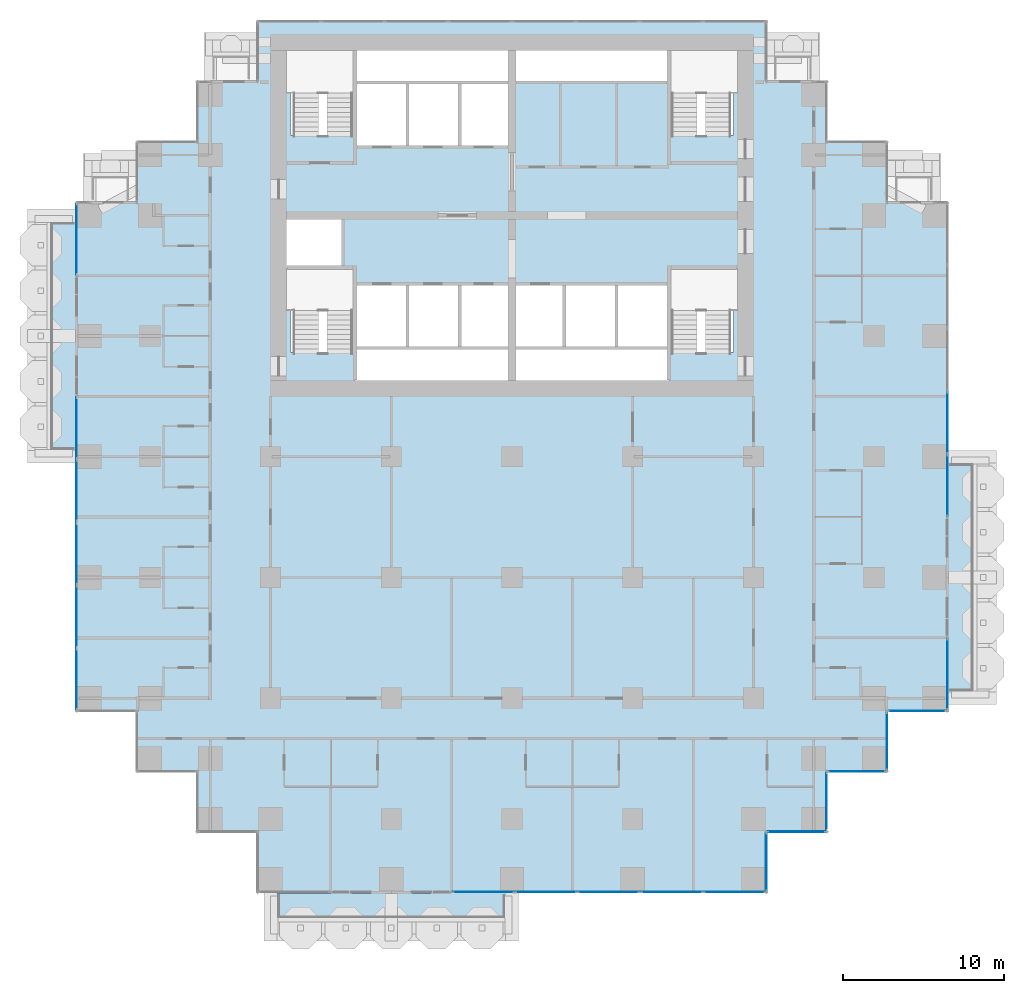
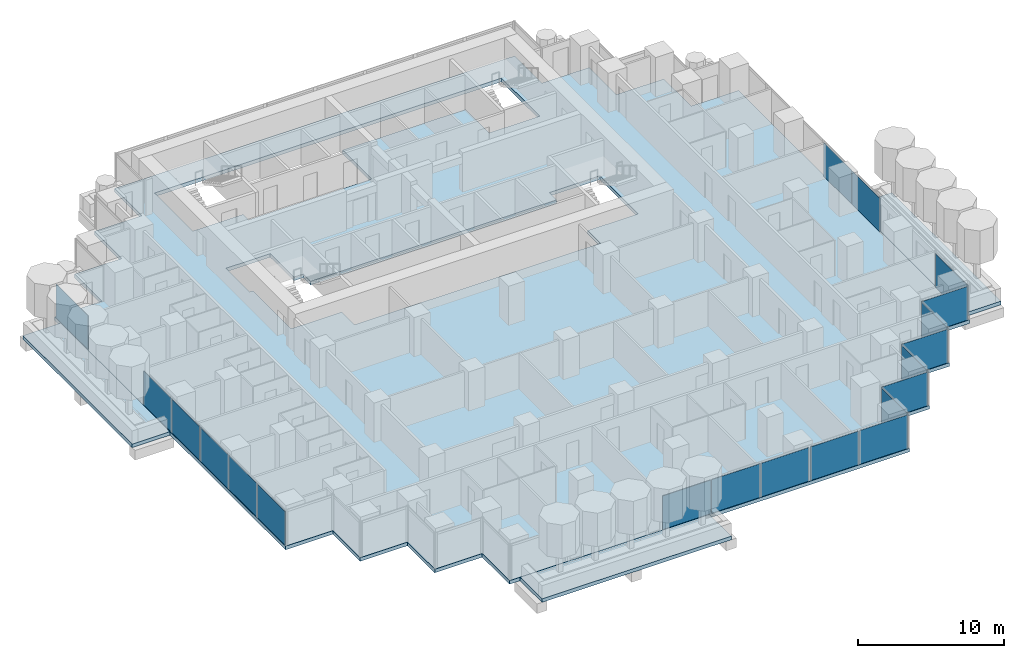
# One storey, part 8 of 18: 20 plates, 4 slabs, 13 elements without a shape of their own.
"""IFC4 building model written with IfcOpenShell, lengths in metres."""

from ifc_helpers import new_model, si_unit, direction, frame, origin, origin_2d, place, context, subcontext, project, spatial, polyline, rectangle, outline, extrude, material, layer, layer_set, type_object, element, aggregate, save


model = new_model("IFC4")

# Units and contexts
model_context = context("Model", 3, precision=1e-05, world=origin(), true_north=direction((0.0, 1.0)))
body_context = subcontext(model_context, "Body", "Model", "MODEL_VIEW")
ifc_project = project(units=[si_unit("LENGTHUNIT", "METRE"), si_unit("AREAUNIT", "SQUARE_METRE"), si_unit("VOLUMEUNIT", "CUBIC_METRE"), si_unit("PLANEANGLEUNIT", "RADIAN"), si_unit("MASSUNIT", "GRAM", prefix="KILO")], contexts=[model_context])

# Site, building, storey
site_placement = place(None, origin())
site = spatial("IfcSite", under=ifc_project, at=site_placement, CompositionType="ELEMENT")
building_placement = place(site_placement, origin())
building = spatial("IfcBuilding", under=site, at=building_placement, Name="Pilkhan Gate Tower", CompositionType="ELEMENT")
storey_placement = place(building_placement, frame((0.0, 0.0, 75.800048828125)))
storey = spatial("IfcBuildingStorey", under=building, at=storey_placement, Name="L17", CompositionType="ELEMENT", Elevation=75.800048828125)

# Slabs
ifc_material_1 = material(Name="Concrete C60/75", Category="concrete")
ifc_layer_1 = layer(ifc_material_1, 0.300048828125)
ifc_layer_set_1 = layer_set([ifc_layer_1], Name="Balcony tray slab TR300")
slab_type_1 = type_object("IfcSlabType", Name="Balcony tray slab TR300", PredefinedType="FLOOR", material=ifc_layer_set_1)
slab_1_placement = place(storey_placement, frame((0.0, 0.0, -0.300048828125)))
element("IfcSlab", 1, at=slab_1_placement, inside=storey, type_object=slab_type_1, Name="Balcony tray L17 S", PredefinedType="FLOOR", context=body_context, shape_type="SweptSolid", body=[
    extrude(outline(polyline([(75.0, 37.39990234375), (75.0, 40.39990234375), (60.0, 40.39990234375), (60.0, 37.39990234375), (75.0, 37.39990234375)])), origin(), (0.0, 0.0, 1.0), 0.300048828125),
])
slab_2_placement = place(storey_placement, frame((0.0, 0.0, -0.300048828125)))
element("IfcSlab", 2, at=slab_2_placement, inside=storey, type_object=slab_type_1, Name="Balcony tray L17 E", PredefinedType="FLOOR", context=body_context, shape_type="SweptSolid", body=[
    extrude(outline(polyline([(105.10009765625, 52.5), (105.10009765625, 67.5), (102.10009765625, 67.5), (102.10009765625, 52.5), (105.10009765625, 52.5)])), origin(), (0.0, 0.0, 1.0), 0.300048828125),
])
slab_3_placement = place(storey_placement, frame((0.0, 0.0, -0.300048828125)))
element("IfcSlab", 3, at=slab_3_placement, inside=storey, type_object=slab_type_1, Name="Balcony tray L17 W", PredefinedType="FLOOR", context=body_context, shape_type="SweptSolid", body=[
    extrude(outline(polyline([(47.89990234375, 67.5), (47.89990234375, 82.5), (44.89990234375, 82.5), (44.89990234375, 67.5), (47.89990234375, 67.5)])), origin(), (0.0, 0.0, 1.0), 0.300048828125),
])
ifc_material_2 = material(Name="Concrete C40/50", Category="concrete")
ifc_layer_2 = layer(ifc_material_2, 0.300048828125)
ifc_layer_set_2 = layer_set([ifc_layer_2], Name="Flat plate slab FP300")
slab_type_2 = type_object("IfcSlabType", Name="Flat plate slab FP300", PredefinedType="FLOOR", material=ifc_layer_set_2)
slab_4_placement = place(storey_placement, frame((0.0, 0.0, -0.300048828125)))
element("IfcSlab", 4, at=slab_4_placement, inside=storey, type_object=slab_type_2, Name="Floor slab L17", PredefinedType="FLOOR", context=body_context, shape_type="SweptSolid", body=[
    extrude(outline(polyline([(98.35009765625, 47.89990234375), (94.60009765625, 47.89990234375), (94.60009765625, 44.14990234375), (90.85009765625, 44.14990234375), (90.85009765625, 40.39990234375), (59.14990234375, 40.39990234375), (59.14990234375, 44.14990234375), (55.39990234375, 44.14990234375), (55.39990234375, 47.89990234375), (51.64990234375, 47.89990234375), (51.64990234375, 51.64990234375), (47.89990234375, 51.64990234375), (47.89990234375, 83.35009765625), (51.64990234375, 83.35009765625), (51.64990234375, 87.10009765625), (55.39990234375, 87.10009765625), (55.39990234375, 90.85009765625), (59.14990234375, 90.85009765625), (59.14990234375, 94.60009765625), (90.85009765625, 94.60009765625), (90.85009765625, 90.85009765625), (94.60009765625, 90.85009765625), (94.60009765625, 87.10009765625), (98.35009765625, 87.10009765625), (98.35009765625, 83.35009765625), (102.10009765625, 83.35009765625), (102.10009765625, 51.64990234375), (98.35009765625, 51.64990234375), (98.35009765625, 47.89990234375)]), holes=[polyline([(65.25, 87.5), (65.25, 86.75), (68.5, 86.75), (71.75, 86.75), (75.0, 86.75), (75.0, 90.75), (84.75, 90.75), (84.75, 87.5), (88.75, 87.5), (88.75, 92.75), (84.75, 92.75), (75.0, 92.75), (65.25, 92.75), (61.25, 92.75), (61.25, 87.5), (65.25, 87.5)]), polyline([(75.0, 72.25), (84.75, 72.25), (84.75, 74.0), (88.75, 74.0), (88.75, 79.25), (84.75, 79.25), (84.75, 78.25), (81.5, 78.25), (78.25, 78.25), (75.0, 78.25), (71.75, 78.25), (68.5, 78.25), (65.25, 78.25), (65.25, 79.25), (64.5, 79.25), (64.5, 82.5), (61.25, 82.5), (61.0, 82.5), (61.0, 79.25), (61.25, 79.25), (61.25, 74.0), (65.25, 74.0), (65.25, 72.25), (75.0, 72.25)])]), origin(), (0.0, 0.0, 1.0), 0.300048828125),
])

# Curtain wall, plate
ifc_material_3 = material(Name="Pale anodised aluminium, clear low-iron double glazing", Category="aluminium")
curtain_wall_type = type_object("IfcCurtainWallType", Name="Hotel unitised curtain wall CW-H", PredefinedType="USERDEFINED", material=ifc_material_3)
curtain_wall_1_placement = place(storey_placement, origin())
curtain_wall_1 = element("IfcCurtainWall", 5, at=curtain_wall_1_placement, inside=storey, type_object=curtain_wall_type, Name="Hotel unitised curtain wall CW-H L17 E", ObjectType="UNITISED CURTAIN WALL", PredefinedType="USERDEFINED")
ifc_material_4 = material(Name="Clear low-iron double glazing", Category="glass")
ifc_layer_3 = layer(ifc_material_4, 0.035888671875)
ifc_layer_set_3 = layer_set([ifc_layer_3], Name="Glass panel CW-H 36")
plate_type = type_object("IfcPlateType", Name="Glass panel CW-H 36", PredefinedType="CURTAIN_PANEL", material=ifc_layer_set_3)
plate_1_placement = place(storey_placement, frame((102.044921875, 53.9775390625, 0.0), z_axis=(0.0, 0.0, 1.0), x_axis=(0.0, 1.0, 0.0)))
plate_1 = element("IfcPlate", 6, at=plate_1_placement, type_object=plate_type, Name="CW-H panel 1", PredefinedType="CURTAIN_PANEL", context=body_context, shape_type="SweptSolid", body=[
    extrude(rectangle(XDim=4.4150390625, YDim=0.035888671875, at=origin_2d()), origin(), (0.0, 0.0, 1.0), 2.820068359375),
])
aggregate(curtain_wall_1, [plate_1])

# Curtain wall, plates
curtain_wall_2_placement = place(storey_placement, origin())
curtain_wall_2 = element("IfcCurtainWall", 7, at=curtain_wall_2_placement, inside=storey, type_object=curtain_wall_type, Name="Hotel unitised curtain wall CW-H L17 E", ObjectType="UNITISED CURTAIN WALL", PredefinedType="USERDEFINED")
plate_2_placement = place(storey_placement, frame((102.044921875, 65.720703125, 0.0), z_axis=(0.0, 0.0, 1.0), x_axis=(0.0, 1.0, 0.0)))
plate_2 = element("IfcPlate", 8, at=plate_2_placement, type_object=plate_type, Name="CW-H panel 1", PredefinedType="CURTAIN_PANEL", context=body_context, shape_type="SweptSolid", body=[
    extrude(rectangle(XDim=3.8115234375, YDim=0.035888671875, at=origin_2d()), origin(), (0.0, 0.0, 1.0), 2.820068359375),
])
plate_3_placement = place(storey_placement, frame((102.044921875, 69.613525390625, 0.0), z_axis=(0.0, 0.0, 1.0), x_axis=(0.0, 1.0, 0.0)))
plate_3 = element("IfcPlate", 9, at=plate_3_placement, type_object=plate_type, Name="CW-H panel 2", PredefinedType="CURTAIN_PANEL", context=body_context, shape_type="SweptSolid", body=[
    extrude(rectangle(XDim=3.843994140625, YDim=0.035888671875, at=origin_2d()), origin(), (0.0, 0.0, 1.0), 2.820068359375),
])
aggregate(curtain_wall_2, [plate_2, plate_3])

curtain_wall_3_placement = place(storey_placement, origin())
curtain_wall_3 = element("IfcCurtainWall", 10, at=curtain_wall_3_placement, inside=storey, type_object=curtain_wall_type, Name="Hotel unitised curtain wall CW-H L17 W", ObjectType="UNITISED CURTAIN WALL", PredefinedType="USERDEFINED")
plate_4_placement = place(storey_placement, frame((47.955078125, 53.67578125, 0.0), z_axis=(0.0, 0.0, 1.0), x_axis=(0.0, 1.0, 0.0)))
plate_4 = element("IfcPlate", 11, at=plate_4_placement, type_object=plate_type, Name="CW-H panel 1", PredefinedType="CURTAIN_PANEL", context=body_context, shape_type="SweptSolid", body=[
    extrude(rectangle(XDim=3.8115234375, YDim=0.035888671875, at=origin_2d()), origin(), (0.0, 0.0, 1.0), 2.820068359375),
])
plate_5_placement = place(storey_placement, frame((47.955078125, 57.568603515625, 0.0), z_axis=(0.0, 0.0, 1.0), x_axis=(0.0, 1.0, 0.0)))
plate_5 = element("IfcPlate", 12, at=plate_5_placement, type_object=plate_type, Name="CW-H panel 2", PredefinedType="CURTAIN_PANEL", context=body_context, shape_type="SweptSolid", body=[
    extrude(rectangle(XDim=3.843994140625, YDim=0.035888671875, at=origin_2d()), origin(), (0.0, 0.0, 1.0), 2.820068359375),
])
plate_6_placement = place(storey_placement, frame((47.955078125, 61.461181640625, 0.0), z_axis=(0.0, 0.0, 1.0), x_axis=(0.0, 1.0, 0.0)))
plate_6 = element("IfcPlate", 13, at=plate_6_placement, type_object=plate_type, Name="CW-H panel 3", PredefinedType="CURTAIN_PANEL", context=body_context, shape_type="SweptSolid", body=[
    extrude(rectangle(XDim=3.8115234375, YDim=0.035888671875, at=origin_2d()), origin(), (0.0, 0.0, 1.0), 2.820068359375),
])
aggregate(curtain_wall_3, [plate_4, plate_5, plate_6])

curtain_wall_4_placement = place(storey_placement, origin())
curtain_wall_4 = element("IfcCurtainWall", 14, at=curtain_wall_4_placement, inside=storey, type_object=curtain_wall_type, Name="Hotel unitised curtain wall CW-H L17 W", ObjectType="UNITISED CURTAIN WALL", PredefinedType="USERDEFINED")
plate_7_placement = place(storey_placement, frame((47.955078125, 65.40283203125, 0.0), z_axis=(0.0, 0.0, 1.0), x_axis=(0.0, 1.0, 0.0)))
plate_7 = element("IfcPlate", 15, at=plate_7_placement, type_object=plate_type, Name="CW-H panel 1", PredefinedType="CURTAIN_PANEL", context=body_context, shape_type="SweptSolid", body=[
    extrude(rectangle(XDim=3.8115234375, YDim=0.035888671875, at=origin_2d()), origin(), (0.0, 0.0, 1.0), 2.820068359375),
])
plate_8_placement = place(storey_placement, frame((47.955078125, 69.279296875, 0.0), z_axis=(0.0, 0.0, 1.0), x_axis=(0.0, 1.0, 0.0)))
plate_8 = element("IfcPlate", 16, at=plate_8_placement, type_object=plate_type, Name="CW-H panel 2", PredefinedType="CURTAIN_PANEL", context=body_context, shape_type="SweptSolid", body=[
    extrude(rectangle(XDim=3.8115234375, YDim=0.035888671875, at=origin_2d()), origin(), (0.0, 0.0, 1.0), 2.820068359375),
])
aggregate(curtain_wall_4, [plate_7, plate_8])

# Curtain wall, plate
curtain_wall_5_placement = place(storey_placement, origin())
curtain_wall_5 = element("IfcCurtainWall", 17, at=curtain_wall_5_placement, inside=storey, type_object=curtain_wall_type, Name="Hotel unitised curtain wall CW-H L17 W", ObjectType="UNITISED CURTAIN WALL", PredefinedType="USERDEFINED")
plate_9_placement = place(storey_placement, frame((47.955078125, 81.0224609375, 0.0), z_axis=(0.0, 0.0, 1.0), x_axis=(0.0, 1.0, 0.0)))
plate_9 = element("IfcPlate", 18, at=plate_9_placement, type_object=plate_type, Name="CW-H panel 1", PredefinedType="CURTAIN_PANEL", context=body_context, shape_type="SweptSolid", body=[
    extrude(rectangle(XDim=4.4150390625, YDim=0.035888671875, at=origin_2d()), origin(), (0.0, 0.0, 1.0), 2.820068359375),
])
aggregate(curtain_wall_5, [plate_9])

# Curtain wall, plates
curtain_wall_6_placement = place(storey_placement, origin())
curtain_wall_6 = element("IfcCurtainWall", 19, at=curtain_wall_6_placement, inside=storey, type_object=curtain_wall_type, Name="Hotel unitised curtain wall CW-H L17 S", ObjectType="UNITISED CURTAIN WALL", PredefinedType="USERDEFINED")
plate_10_placement = place(storey_placement, frame((73.220703125, 40.455078125, 0.0), z_axis=(0.0, 0.0, 1.0), x_axis=(1.0, 0.0, 0.0)))
plate_10 = element("IfcPlate", 20, at=plate_10_placement, type_object=plate_type, Name="CW-H panel 1", PredefinedType="CURTAIN_PANEL", context=body_context, shape_type="SweptSolid", body=[
    extrude(rectangle(XDim=3.8115234375, YDim=0.035888671875, at=origin_2d()), origin(), (0.0, 0.0, 1.0), 2.820068359375),
])
plate_11_placement = place(storey_placement, frame((77.113525390625, 40.455078125, 0.0), z_axis=(0.0, 0.0, 1.0), x_axis=(1.0, 0.0, 0.0)))
plate_11 = element("IfcPlate", 21, at=plate_11_placement, type_object=plate_type, Name="CW-H panel 2", PredefinedType="CURTAIN_PANEL", context=body_context, shape_type="SweptSolid", body=[
    extrude(rectangle(XDim=3.843994140625, YDim=0.035888671875, at=origin_2d()), origin(), (0.0, 0.0, 1.0), 2.820068359375),
])
plate_12_placement = place(storey_placement, frame((81.00634765625, 40.455078125, 0.0), z_axis=(0.0, 0.0, 1.0), x_axis=(1.0, 0.0, 0.0)))
plate_12 = element("IfcPlate", 22, at=plate_12_placement, type_object=plate_type, Name="CW-H panel 3", PredefinedType="CURTAIN_PANEL", context=body_context, shape_type="SweptSolid", body=[
    extrude(rectangle(XDim=3.8115234375, YDim=0.035888671875, at=origin_2d()), origin(), (0.0, 0.0, 1.0), 2.820068359375),
])
aggregate(curtain_wall_6, [plate_10, plate_11, plate_12])

curtain_wall_7_placement = place(storey_placement, origin())
curtain_wall_7 = element("IfcCurtainWall", 23, at=curtain_wall_7_placement, inside=storey, type_object=curtain_wall_type, Name="Hotel unitised curtain wall CW-H L17 S", ObjectType="UNITISED CURTAIN WALL", PredefinedType="USERDEFINED")
plate_13_placement = place(storey_placement, frame((84.94775390625, 40.455078125, 0.0), z_axis=(0.0, 0.0, 1.0), x_axis=(1.0, 0.0, 0.0)))
plate_13 = element("IfcPlate", 24, at=plate_13_placement, type_object=plate_type, Name="CW-H panel 1", PredefinedType="CURTAIN_PANEL", context=body_context, shape_type="SweptSolid", body=[
    extrude(rectangle(XDim=3.8115234375, YDim=0.035888671875, at=origin_2d()), origin(), (0.0, 0.0, 1.0), 2.820068359375),
])
plate_14_placement = place(storey_placement, frame((88.82421875, 40.455078125, 0.0), z_axis=(0.0, 0.0, 1.0), x_axis=(1.0, 0.0, 0.0)))
plate_14 = element("IfcPlate", 25, at=plate_14_placement, type_object=plate_type, Name="CW-H panel 2", PredefinedType="CURTAIN_PANEL", context=body_context, shape_type="SweptSolid", body=[
    extrude(rectangle(XDim=3.8115234375, YDim=0.035888671875, at=origin_2d()), origin(), (0.0, 0.0, 1.0), 2.820068359375),
])
aggregate(curtain_wall_7, [plate_13, plate_14])

# Curtain wall, plate
curtain_wall_8_placement = place(storey_placement, origin())
curtain_wall_8 = element("IfcCurtainWall", 26, at=curtain_wall_8_placement, inside=storey, type_object=curtain_wall_type, Name="Hotel unitised curtain wall CW-H L17 E", ObjectType="UNITISED CURTAIN WALL", PredefinedType="USERDEFINED")
plate_15_placement = place(storey_placement, frame((90.794921875, 42.330078125, 0.0), z_axis=(0.0, 0.0, 1.0), x_axis=(0.0, 1.0, 0.0)))
plate_15 = element("IfcPlate", 27, at=plate_15_placement, type_object=plate_type, Name="CW-H panel 1", PredefinedType="CURTAIN_PANEL", context=body_context, shape_type="SweptSolid", body=[
    extrude(rectangle(XDim=3.6201171875, YDim=0.035888671875, at=origin_2d()), origin(), (0.0, 0.0, 1.0), 2.820068359375),
])
aggregate(curtain_wall_8, [plate_15])

curtain_wall_9_placement = place(storey_placement, origin())
curtain_wall_9 = element("IfcCurtainWall", 28, at=curtain_wall_9_placement, inside=storey, type_object=curtain_wall_type, Name="Hotel unitised curtain wall CW-H L17 S", ObjectType="UNITISED CURTAIN WALL", PredefinedType="USERDEFINED")
plate_16_placement = place(storey_placement, frame((92.669921875, 44.205078125, 0.0), z_axis=(0.0, 0.0, 1.0), x_axis=(1.0, 0.0, 0.0)))
plate_16 = element("IfcPlate", 29, at=plate_16_placement, type_object=plate_type, Name="CW-H panel 1", PredefinedType="CURTAIN_PANEL", context=body_context, shape_type="SweptSolid", body=[
    extrude(rectangle(XDim=3.6201171875, YDim=0.035888671875, at=origin_2d()), origin(), (0.0, 0.0, 1.0), 2.820068359375),
])
aggregate(curtain_wall_9, [plate_16])

curtain_wall_10_placement = place(storey_placement, origin())
curtain_wall_10 = element("IfcCurtainWall", 30, at=curtain_wall_10_placement, inside=storey, type_object=curtain_wall_type, Name="Hotel unitised curtain wall CW-H L17 E", ObjectType="UNITISED CURTAIN WALL", PredefinedType="USERDEFINED")
plate_17_placement = place(storey_placement, frame((94.544921875, 46.080078125, 0.0), z_axis=(0.0, 0.0, 1.0), x_axis=(0.0, 1.0, 0.0)))
plate_17 = element("IfcPlate", 31, at=plate_17_placement, type_object=plate_type, Name="CW-H panel 1", PredefinedType="CURTAIN_PANEL", context=body_context, shape_type="SweptSolid", body=[
    extrude(rectangle(XDim=3.6201171875, YDim=0.035888671875, at=origin_2d()), origin(), (0.0, 0.0, 1.0), 2.820068359375),
])
aggregate(curtain_wall_10, [plate_17])

curtain_wall_11_placement = place(storey_placement, origin())
curtain_wall_11 = element("IfcCurtainWall", 32, at=curtain_wall_11_placement, inside=storey, type_object=curtain_wall_type, Name="Hotel unitised curtain wall CW-H L17 S", ObjectType="UNITISED CURTAIN WALL", PredefinedType="USERDEFINED")
plate_18_placement = place(storey_placement, frame((96.419921875, 47.955078125, 0.0), z_axis=(0.0, 0.0, 1.0), x_axis=(1.0, 0.0, 0.0)))
plate_18 = element("IfcPlate", 33, at=plate_18_placement, type_object=plate_type, Name="CW-H panel 1", PredefinedType="CURTAIN_PANEL", context=body_context, shape_type="SweptSolid", body=[
    extrude(rectangle(XDim=3.6201171875, YDim=0.035888671875, at=origin_2d()), origin(), (0.0, 0.0, 1.0), 2.820068359375),
])
aggregate(curtain_wall_11, [plate_18])

curtain_wall_12_placement = place(storey_placement, origin())
curtain_wall_12 = element("IfcCurtainWall", 34, at=curtain_wall_12_placement, inside=storey, type_object=curtain_wall_type, Name="Hotel unitised curtain wall CW-H L17 E", ObjectType="UNITISED CURTAIN WALL", PredefinedType="USERDEFINED")
plate_19_placement = place(storey_placement, frame((98.294921875, 49.830078125, 0.0), z_axis=(0.0, 0.0, 1.0), x_axis=(0.0, 1.0, 0.0)))
plate_19 = element("IfcPlate", 35, at=plate_19_placement, type_object=plate_type, Name="CW-H panel 1", PredefinedType="CURTAIN_PANEL", context=body_context, shape_type="SweptSolid", body=[
    extrude(rectangle(XDim=3.6201171875, YDim=0.035888671875, at=origin_2d()), origin(), (0.0, 0.0, 1.0), 2.820068359375),
])
aggregate(curtain_wall_12, [plate_19])

curtain_wall_13_placement = place(storey_placement, origin())
curtain_wall_13 = element("IfcCurtainWall", 36, at=curtain_wall_13_placement, inside=storey, type_object=curtain_wall_type, Name="Hotel unitised curtain wall CW-H L17 S", ObjectType="UNITISED CURTAIN WALL", PredefinedType="USERDEFINED")
plate_20_placement = place(storey_placement, frame((100.169921875, 51.705078125, 0.0), z_axis=(0.0, 0.0, 1.0), x_axis=(1.0, 0.0, 0.0)))
plate_20 = element("IfcPlate", 37, at=plate_20_placement, type_object=plate_type, Name="CW-H panel 1", PredefinedType="CURTAIN_PANEL", context=body_context, shape_type="SweptSolid", body=[
    extrude(rectangle(XDim=3.6201171875, YDim=0.035888671875, at=origin_2d()), origin(), (0.0, 0.0, 1.0), 2.820068359375),
])
aggregate(curtain_wall_13, [plate_20])

save(model, "model.ifc")
